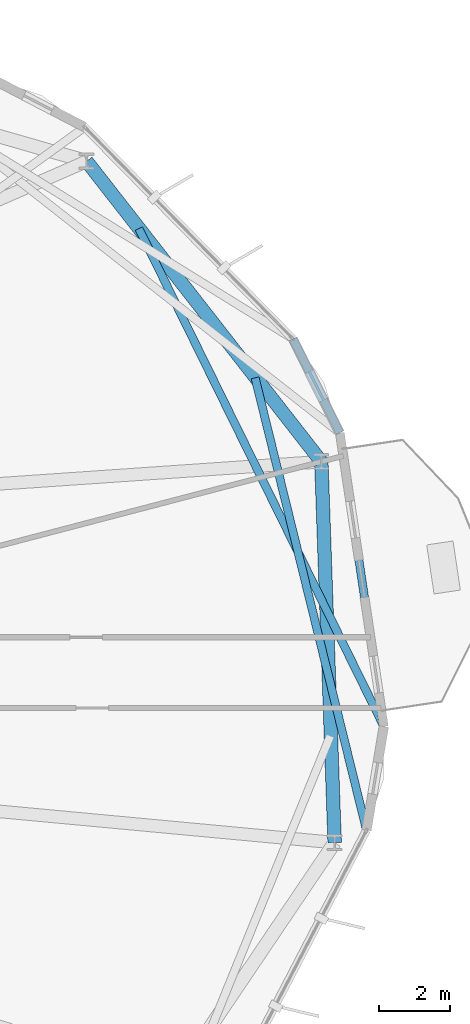
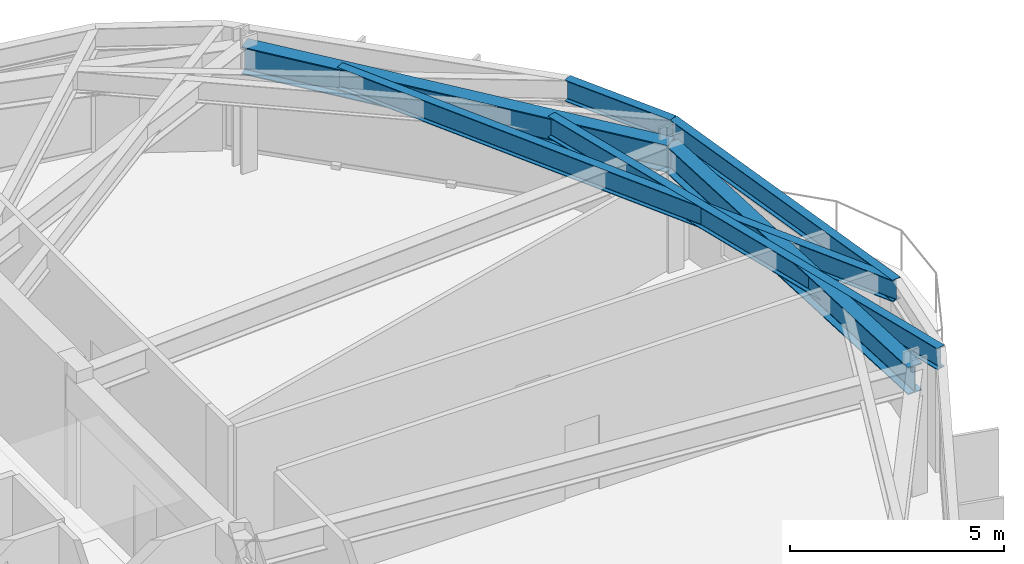
# One storey, part 10 of 22: 6 beams.
"""IFC4 building model written with IfcOpenShell, lengths in metres."""

from ifc_helpers import new_model, si_unit, direction, frame, origin, origin_2d, place, context, subcontext, project, spatial, i_section, extrude, material, material_profile, profile_set, type_object, element, save


model = new_model("IFC4")

# Units and contexts
model_context = context("Model", 3, precision=1e-05, world=origin(), true_north=direction((0.0, 1.0)))
body_context = subcontext(model_context, "Body", "Model", "MODEL_VIEW")
ifc_project = project(units=[si_unit("LENGTHUNIT", "METRE"), si_unit("AREAUNIT", "SQUARE_METRE"), si_unit("VOLUMEUNIT", "CUBIC_METRE"), si_unit("PLANEANGLEUNIT", "RADIAN"), si_unit("MASSUNIT", "GRAM", prefix="KILO")], contexts=[model_context])

# Site, building, storey
site_placement = place(None, origin())
site = spatial("IfcSite", under=ifc_project, at=site_placement, CompositionType="ELEMENT")
building_placement = place(site_placement, origin())
building = spatial("IfcBuilding", under=site, at=building_placement, Name="Soratama Intermodal Tower", CompositionType="ELEMENT")
storey_placement = place(building_placement, frame((0.0, 0.0, 130.300048828125)))
storey = spatial("IfcBuildingStorey", under=building, at=storey_placement, Name="L31", CompositionType="ELEMENT", Elevation=130.300048828125)

# Beams
ifc_material_1 = material(Name="Structural steel ASTM A992 Grade 50", Category="steel")
ifc_material_profile_1 = material_profile(ifc_material_1, i_section(OverallWidth=0.382080078125, OverallDepth=0.779052734375, WebThickness=0.01806640625, FlangeThickness=0.030029296875, FilletRadius=0.01806640625, at=origin_2d()), Name="W30X191")
ifc_profile_set_1 = profile_set([ifc_material_profile_1], Name="Structural steel ASTM A992 Grade 50")
beam_type_1 = type_object("IfcBeamType", Name="BM-RING-W30X191", PredefinedType="BEAM", material=ifc_profile_set_1)
beam_1_placement = place(storey_placement, frame((61.35107421875, 30.950927734375, 3.17041015625), z_axis=(-0.615683690883, 0.787993396407, 0.0), x_axis=(-0.787993396407, -0.615683690883, 0.0)))
element("IfcBeam", 1, at=beam_1_placement, inside=storey, type_object=beam_type_1, Name="BM-L31-RING-01", PredefinedType="BEAM", context=body_context, shape_type="SweptSolid", body=[
    extrude(i_section(OverallWidth=0.382080078125, OverallDepth=0.779052734375, WebThickness=0.01806640625, FlangeThickness=0.030029296875, FilletRadius=0.01806640625, at=origin_2d()), origin(), (0.0, 0.0, 1.0), 10.754150390625),
])
beam_2_placement = place(storey_placement, frame((61.72607421875, 20.2041015625, 3.17041015625), z_axis=(-0.034872799059, 0.999391758964, 0.0), x_axis=(-0.999391758964, -0.034872799059, 0.0)))
element("IfcBeam", 2, at=beam_2_placement, inside=storey, type_object=beam_type_1, Name="BM-L31-RING-10", PredefinedType="BEAM", context=body_context, shape_type="SweptSolid", body=[
    extrude(i_section(OverallWidth=0.382080078125, OverallDepth=0.779052734375, WebThickness=0.01806640625, FlangeThickness=0.030029296875, FilletRadius=0.01806640625, at=origin_2d()), origin(), (0.0, 0.0, 1.0), 10.75341796875),
])
ifc_material_2 = material(Name="Structural steel ASTM A992 Grade 50", Category="steel")
ifc_material_profile_2 = material_profile(ifc_material_2, i_section(OverallWidth=0.22900390625, OverallDepth=0.612060546875, WebThickness=0.011962890625, FlangeThickness=0.01953125, FilletRadius=0.012939453125, at=origin_2d()), Name="W24X84")
ifc_profile_set_2 = profile_set([ifc_material_profile_2], Name="Structural steel ASTM A992 Grade 50")
beam_type_2 = type_object("IfcBeamType", Name="BM-SPN-W24X84", PredefinedType="SPANDREL", material=ifc_profile_set_2)
beam_3_placement = place(storey_placement, frame((63.114990234375, 23.47900390625, 3.25390625), z_axis=(-0.148150892043, 0.988964768425, 0.0), x_axis=(-0.988964768425, -0.148150892043, 0.0)))
element("IfcBeam", 3, at=beam_3_placement, inside=storey, type_object=beam_type_2, Name="BS-L31-F10", PredefinedType="SPANDREL", context=body_context, shape_type="SweptSolid", body=[
    extrude(i_section(OverallWidth=0.22900390625, OverallDepth=0.612060546875, WebThickness=0.011962890625, FlangeThickness=0.01953125, FilletRadius=0.012939453125, at=origin_2d()), origin(), (0.0, 0.0, 1.0), 8.37646484375),
])
beam_4_placement = place(storey_placement, frame((61.8740234375, 31.762939453125, 3.25390625), z_axis=(-0.446653853227, 0.894706843272, 0.0), x_axis=(-0.894706843272, -0.446653853227, 0.0)))
element("IfcBeam", 4, at=beam_4_placement, inside=storey, type_object=beam_type_2, Name="BS-L31-CRN10", PredefinedType="SPANDREL", context=body_context, shape_type="SweptSolid", body=[
    extrude(i_section(OverallWidth=0.22900390625, OverallDepth=0.612060546875, WebThickness=0.011962890625, FlangeThickness=0.01953125, FilletRadius=0.012939453125, at=origin_2d()), origin(), (0.0, 0.0, 1.0), 2.96630859375),
])
ifc_material_3 = material(Name="Structural steel ASTM A992 Grade 50", Category="steel")
ifc_material_profile_3 = material_profile(ifc_material_3, i_section(OverallWidth=0.22900390625, OverallDepth=0.612060546875, WebThickness=0.011962890625, FlangeThickness=0.01953125, FilletRadius=0.012939453125, at=origin_2d()), Name="W24X84")
ifc_profile_set_3 = profile_set([ifc_material_profile_3], Name="Structural steel ASTM A992 Grade 50")
beam_type_3 = type_object("IfcBeamType", Name="BM-TIE-W24X84", PredefinedType="BEAM", material=ifc_profile_set_3)
beam_5_placement = place(storey_placement, frame((59.48193359375, 33.31689453125, 3.25390625), z_axis=(0.239173681753, -0.970976801966, 0.0), x_axis=(0.970976801966, 0.239173681753, 0.0)))
element("IfcBeam", 5, at=beam_5_placement, inside=storey, type_object=beam_type_3, Name="BM-L31-TIE1-09", PredefinedType="BEAM", context=body_context, shape_type="SweptSolid", body=[
    extrude(i_section(OverallWidth=0.22900390625, OverallDepth=0.612060546875, WebThickness=0.011962890625, FlangeThickness=0.01953125, FilletRadius=0.012939453125, at=origin_2d()), origin(), (0.0, 0.0, 1.0), 13.1455078125),
])
beam_6_placement = place(storey_placement, frame((56.201904296875, 37.528076171875, 3.25390625), z_axis=(0.441510241492, -0.897256210153, 0.0), x_axis=(0.897256210153, 0.441510241492, 0.0)))
element("IfcBeam", 6, at=beam_6_placement, inside=storey, type_object=beam_type_3, Name="BM-L31-TIE0-10", PredefinedType="BEAM", context=body_context, shape_type="SweptSolid", body=[
    extrude(i_section(OverallWidth=0.22900390625, OverallDepth=0.612060546875, WebThickness=0.011962890625, FlangeThickness=0.01953125, FilletRadius=0.012939453125, at=origin_2d()), origin(), (0.0, 0.0, 1.0), 15.65771484375),
])

save(model, "model.ifc")
